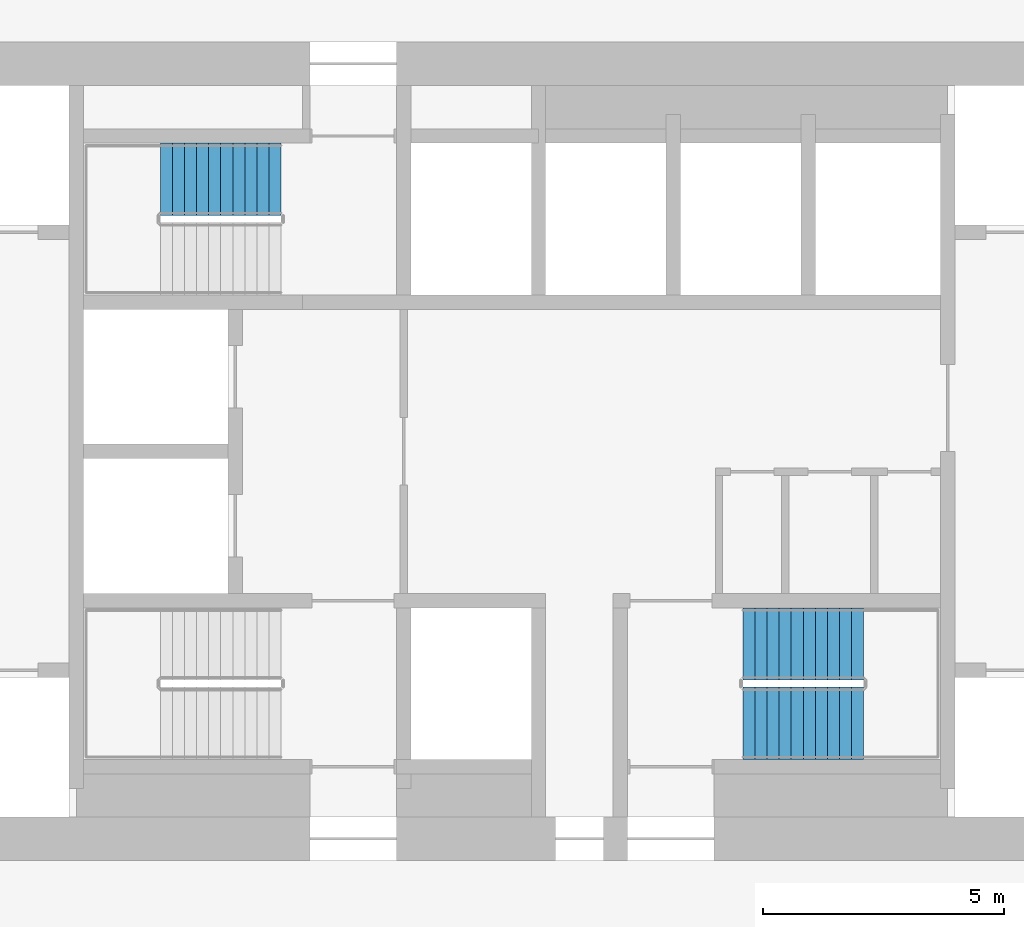
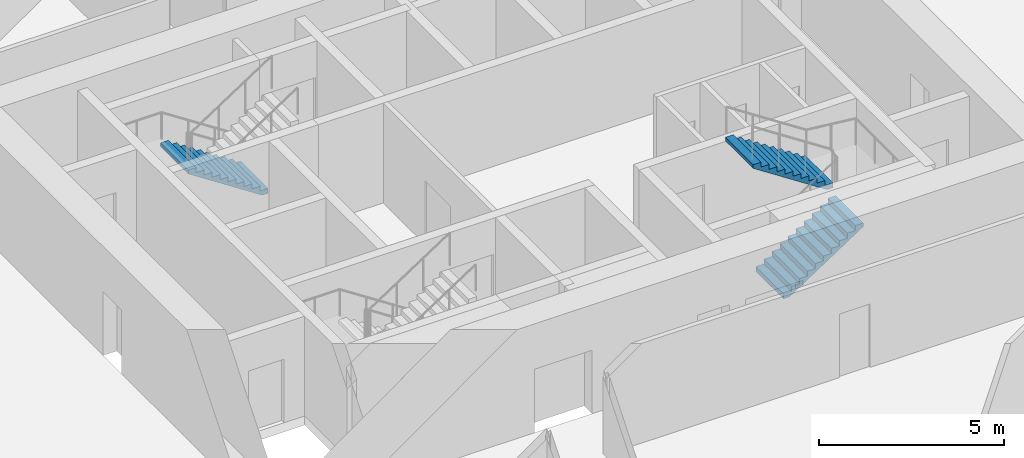
# One storey, part 9 of 10: 3 stair flights, 2 elements without a shape of their own.
"""IFC4 building model written with IfcOpenShell, lengths in metres."""

import ifcopenshell
import ifcopenshell.guid

model = None  # the IFC model being written
_history = None  # IfcOwnerHistory: only IFC2X3 demands one
_inside = {}  # id of a spatial element -> (the spatial element, [elements in it])
_under = {}  # id of a project, library or spatial element -> (it, [spatial elements below it])
_declared = {}  # id of a project -> (the project, [libraries it declares])
_typed = {}  # id of a type object -> (the type object, [elements of that type])
_made_of = {}  # id of a material, layer set ... -> (it, [elements and type objects made of it])


def new_model(schema):
    """Start an empty IFC model of exactly this schema.

    Asked for "IFC4X3", IfcOpenShell would pick the latest addendum, in which some entities
    have other attributes; the version numbers below select the first issue.
    IFC2X3 requires an IfcOwnerHistory on every rooted entity: one is made here for all.
    """
    global model, _history
    if schema == "IFC4X3":
        model = ifcopenshell.file(schema_version=(4, 3, 0, 0))
    else:
        model = ifcopenshell.file(schema=schema)
    _inside.clear()
    _under.clear()
    _declared.clear()
    _typed.clear()
    _made_of.clear()
    _history = None
    if model.schema == "IFC2X3":
        org = make("IfcOrganization", Name="unknown")
        user = make(
            "IfcPersonAndOrganization",
            ThePerson=make("IfcPerson", FamilyName="unknown"),
            TheOrganization=org,
        )
        app = make(
            "IfcApplication",
            ApplicationDeveloper=org,
            Version="unknown",
            ApplicationFullName="unknown",
            ApplicationIdentifier="unknown",
        )
        _history = make(
            "IfcOwnerHistory",
            OwningUser=user,
            OwningApplication=app,
            ChangeAction="ADDED",
            CreationDate=0,
        )
    return model


def make(cls, **values):
    """One entity of the class cls with the attributes given. An attribute that is None is left unset."""
    return model.create_entity(
        cls, **{name: value for name, value in values.items() if value is not None}
    )


def rooted(cls, **values):
    """An entity with a GlobalId (a new one), such as an element, a storey or a relation."""
    return make(cls, GlobalId=ifcopenshell.guid.new(), OwnerHistory=_history, **values)


def si_unit(unit_type, name, prefix=None):
    """IfcSIUnit, for example si_unit("LENGTHUNIT", "METRE", prefix="MILLI")."""
    return make("IfcSIUnit", UnitType=unit_type, Prefix=prefix, Name=name)


def assignment(units):
    """IfcUnitAssignment: the units of a project."""
    return None if units is None else make("IfcUnitAssignment", Units=units)


def point(xyz):
    """IfcCartesianPoint."""
    return None if xyz is None else make("IfcCartesianPoint", Coordinates=xyz)


def direction(xyz):
    """IfcDirection."""
    return None if xyz is None else make("IfcDirection", DirectionRatios=xyz)


def frame(location, z_axis=None, x_axis=None):
    """IfcAxis2Placement3D, a coordinate frame: its origin and axes. An axis left out is left unset."""
    return make(
        "IfcAxis2Placement3D",
        Location=point(location),
        Axis=direction(z_axis),
        RefDirection=direction(x_axis),
    )


def origin():
    """The frame at (0, 0, 0) with its axes left unset."""
    return frame((0.0, 0.0, 0.0))


def place(relative_to, where):
    """IfcLocalPlacement: puts the frame where relative to a parent placement (None: the world)."""
    return make(
        "IfcLocalPlacement", PlacementRelTo=relative_to, RelativePlacement=where
    )


def context(
    kind, dimensions, precision=None, world=None, true_north=None, identifier=None
):
    """IfcGeometricRepresentationContext, for example the 3D "Model" context."""
    return make(
        "IfcGeometricRepresentationContext",
        ContextIdentifier=identifier,
        ContextType=kind,
        CoordinateSpaceDimension=dimensions,
        Precision=precision,
        WorldCoordinateSystem=world,
        TrueNorth=true_north,
    )


def subcontext(parent, identifier, kind, view, scale=None):
    """IfcGeometricRepresentationSubContext, for example "Body" below "Model"."""
    return make(
        "IfcGeometricRepresentationSubContext",
        ContextIdentifier=identifier,
        ContextType=kind,
        ParentContext=parent,
        TargetScale=scale,
        TargetView=view,
    )


def project(units=None, contexts=None):
    """IfcProject with its units and contexts."""
    return rooted(
        "IfcProject",
        Name="project",
        RepresentationContexts=contexts,
        UnitsInContext=assignment(units),
    )


def spatial(cls, under=None, at=None, **own):
    """A site, building, storey or space (cls), placed at a placement, below another one or the project."""
    s = rooted(cls, ObjectPlacement=at, **own)
    if under is not None:
        _under.setdefault(under.id(), (under, []))[1].append(s)
    return s


def polyline(points):
    """IfcPolyline through the points."""
    return make("IfcPolyline", Points=[point(p) for p in points])


def outline(outer, holes=None, kind="AREA"):
    """IfcArbitraryClosedProfileDef: a profile drawn as a closed curve; with holes, ...WithVoids."""
    if holes is None:
        return make("IfcArbitraryClosedProfileDef", ProfileType=kind, OuterCurve=outer)
    return make(
        "IfcArbitraryProfileDefWithVoids",
        ProfileType=kind,
        OuterCurve=outer,
        InnerCurves=holes,
    )


def extrude(swept, where, along, depth):
    """IfcExtrudedAreaSolid: the profile swept, set in the frame where, extruded along a direction by depth."""
    return make(
        "IfcExtrudedAreaSolid",
        SweptArea=swept,
        Position=where,
        ExtrudedDirection=direction(along),
        Depth=depth,
    )


def shape(context_of_items, identifier, shape_type, items):
    """IfcShapeRepresentation: the items that make up one representation, for example the "Body"."""
    return make(
        "IfcShapeRepresentation",
        ContextOfItems=context_of_items,
        RepresentationIdentifier=identifier,
        RepresentationType=shape_type,
        Items=items,
    )


def material(Name=None, Category=None):
    """IfcMaterial."""
    return make("IfcMaterial", Name=Name, Category=Category)


def made_of(thing, what):
    """Note that an element or type object is made of a material, layer set ...; save() writes the relation."""
    if what is not None:
        _made_of.setdefault(what.id(), (what, []))[1].append(thing)
    return thing


def type_object(cls, material=None, **own):
    """A type object (cls), such as IfcWallType, which elements share."""
    return made_of(rooted(cls, **own), material)


def element(
    cls,
    number,
    at=None,
    inside=None,
    cuts=None,
    type_object=None,
    material=None,
    context=None,
    identifier="Body",
    shape_type=None,
    held_by="IfcProductDefinitionShape",
    body=None,
    shapes=None,
    **own,
):
    """One element of the class cls, such as IfcWall. Its Tag is "e" and its number.

    at: its placement. inside: the storey or other place that contains it. cuts: it is an
    opening in that element (IfcRelVoidsElement). A single representation is given by context,
    identifier, shape_type and body (its items); several are given by shapes. held_by: the class
    of the entity that holds the representations. save() writes the other relations.
    """
    e = rooted(cls, Tag="e%d" % number, ObjectPlacement=at, **own)
    if body is not None:
        shapes = [shape(context, identifier, shape_type, body)]
    if shapes is not None:
        e.Representation = make(held_by, Representations=shapes)
    if inside is not None:
        _inside.setdefault(inside.id(), (inside, []))[1].append(e)
    if cuts is not None:
        rooted(
            "IfcRelVoidsElement", RelatingBuildingElement=cuts, RelatedOpeningElement=e
        )
    if type_object is not None:
        _typed.setdefault(type_object.id(), (type_object, []))[1].append(e)
    return made_of(e, material)


def aggregate(whole, parts):
    """IfcRelAggregates: a whole, such as a stair, and the parts it consists of."""
    return rooted("IfcRelAggregates", RelatingObject=whole, RelatedObjects=parts)


def save(model, path):
    """Write the relations noted so far, then the file.

    IfcRelAggregates (storeys below a building ...), IfcRelContainedInSpatialStructure (elements
    in a storey), IfcRelDefinesByType, IfcRelAssociatesMaterial and IfcRelDeclares: one each for
    every whole, place, type object, material and project.
    """
    for whole, parts in _under.values():
        aggregate(whole, parts)
    for where, things in _inside.values():
        rooted(
            "IfcRelContainedInSpatialStructure",
            RelatedElements=things,
            RelatingStructure=where,
        )
    for kind, things in _typed.values():
        rooted("IfcRelDefinesByType", RelatedObjects=things, RelatingType=kind)
    for what, things in _made_of.values():
        rooted("IfcRelAssociatesMaterial", RelatedObjects=things, RelatingMaterial=what)
    for by, libraries in _declared.values():
        rooted("IfcRelDeclares", RelatingContext=by, RelatedDefinitions=libraries)
    model.write(path)


model = new_model("IFC4")

# Units and contexts
model_context = context("Model", 3, precision=1e-05, world=origin(), true_north=direction((0.0, 1.0)))
body_context = subcontext(model_context, "Body", "Model", "MODEL_VIEW")
ifc_project = project(units=[si_unit("LENGTHUNIT", "METRE"), si_unit("AREAUNIT", "SQUARE_METRE"), si_unit("VOLUMEUNIT", "CUBIC_METRE"), si_unit("PLANEANGLEUNIT", "RADIAN"), si_unit("MASSUNIT", "GRAM", prefix="KILO")], contexts=[model_context])

# Site, building, storey
site_placement = place(None, origin())
site = spatial("IfcSite", under=ifc_project, at=site_placement, CompositionType="ELEMENT")
building_placement = place(site_placement, origin())
building = spatial("IfcBuilding", under=site, at=building_placement, Name="Tracery Tower", CompositionType="ELEMENT")
storey_placement = place(building_placement, frame((0.0, 0.0, 144.0)))
storey = spatial("IfcBuildingStorey", under=building, at=storey_placement, Name="L36", CompositionType="ELEMENT", Elevation=144.0)

# Stair, stair flight
ifc_material_1 = material(Name="Concrete C32/40", Category="concrete")
stair_type = type_object("IfcStairType", Name="Core stair 22 risers", PredefinedType="HALF_TURN_STAIR", material=ifc_material_1)
stair_1_placement = place(storey_placement, origin())
stair_1 = element("IfcStair", 1, at=stair_1_placement, inside=storey, type_object=stair_type, Name="L36 stair ST3", PredefinedType="HALF_TURN_STAIR")
ifc_material_2 = material(Name="Concrete C32/40", Category="concrete")
stair_flight_type = type_object("IfcStairFlightType", Name="Core stair flight 11 risers", PredefinedType="STRAIGHT", material=ifc_material_2)
stair_flight_1_placement = place(storey_placement, frame((-4.800048828125, 5.64990234375, 0.0), z_axis=(0.0, 0.0, 1.0), x_axis=(-1.0, 0.0, 0.0)))
stair_flight_1 = element("IfcStairFlight", 2, at=stair_flight_1_placement, type_object=stair_flight_type, Name="ST3 flight 1", NumberOfRisers=11, NumberOfTreads=10, PredefinedType="STRAIGHT", RiserHeight=0.163636364, TreadLength=0.25, context=body_context, shape_type="SweptSolid", body=[
    extrude(outline(polyline([(0.0, 0.0), (0.0, 0.002685546875), (0.0, 0.00537109375), (0.0, 0.008056640625), (0.0, 0.0107421875), (0.0, 0.013427734375), (0.0, 0.01611328125), (0.0, 0.018798828125), (0.0, 0.021484375), (0.0, 0.024169921875), (0.0, 0.02685546875), (0.0, 0.029541015625), (0.0, 0.0322265625), (0.0, 0.034912109375), (0.0, 0.03759765625), (0.0, 0.040283203125), (0.0, 0.04296875), (0.0, 0.045654296875), (0.0, 0.04833984375), (0.0, 0.051025390625), (0.0, 0.0537109375), (0.0, 0.056396484375), (0.0, 0.05908203125), (0.0, 0.061767578125), (0.0, 0.064453125), (0.0, 0.067138671875), (0.0, 0.06982421875), (0.0, 0.072509765625), (0.0, 0.0751953125), (0.0, 0.077880859375), (0.0, 0.08056640625), (0.0, 0.083251953125), (0.0, 0.0859375), (0.0, 0.088623046875), (0.0, 0.09130859375), (0.0, 0.093994140625), (0.0, 0.0966796875), (0.0, 0.099365234375), (0.0, 0.10205078125), (0.0, 0.104736328125), (0.0, 0.107421875), (0.0, 0.10986328125), (0.0, 0.112548828125), (0.0, 0.115234375), (0.0, 0.117919921875), (0.0, 0.12060546875), (0.0, 0.123291015625), (0.0, 0.1259765625), (0.0, 0.128662109375), (0.0, 0.13134765625), (0.0, 0.134033203125), (0.0, 0.13671875), (0.0, 0.139404296875), (0.0, 0.14208984375), (0.0, 0.144775390625), (0.0, 0.1474609375), (0.0, 0.150146484375), (0.0, 0.15283203125), (0.0, 0.155517578125), (0.0, 0.158203125), (0.0, 0.160888671875), (0.0, 0.16357421875), (0.25, 0.16357421875), (0.25, 0.327392578125), (0.5, 0.327392578125), (0.5, 0.490966796875), (0.75, 0.490966796875), (0.75, 0.654541015625), (1.0, 0.654541015625), (1.0, 0.818115234375), (1.25, 0.818115234375), (1.25, 0.98193359375), (1.5, 0.98193359375), (1.5, 1.1455078125), (1.75, 1.1455078125), (1.75, 1.30908203125), (2.0, 1.30908203125), (2.0, 1.47265625), (2.25, 1.47265625), (2.25, 1.636474609375), (2.5, 1.636474609375), (2.5, 1.634521484375), (2.5, 1.63232421875), (2.5, 1.63037109375), (2.5, 1.62841796875), (2.5, 1.62646484375), (2.5, 1.62451171875), (2.5, 1.62255859375), (2.5, 1.62060546875), (2.5, 1.61865234375), (2.5, 1.61669921875), (2.5, 1.61474609375), (2.5, 1.61279296875), (2.5, 1.61083984375), (2.5, 1.60888671875), (2.5, 1.60693359375), (2.5, 1.60498046875), (2.5, 1.60302734375), (2.5, 1.60107421875), (2.5, 1.59912109375), (2.5, 1.59716796875), (2.5, 1.59521484375), (2.5, 1.59326171875), (2.5, 1.59130859375), (2.5, 1.58935546875), (2.5, 1.58740234375), (2.5, 1.58544921875), (2.5, 1.58349609375), (2.5, 1.58154296875), (2.5, 1.57958984375), (2.5, 1.57763671875), (2.5, 1.57568359375), (2.5, 1.573486328125), (2.5, 1.571533203125), (2.5, 1.569580078125), (2.5, 1.567626953125), (2.5, 1.565673828125), (2.5, 1.563720703125), (2.5, 1.561767578125), (2.5, 1.559814453125), (2.5, 1.557861328125), (2.5, 1.555908203125), (2.5, 1.553955078125), (2.5, 1.552001953125), (2.5, 1.550048828125), (2.5, 1.548095703125), (2.5, 1.546142578125), (2.5, 1.544189453125), (2.5, 1.542236328125), (2.5, 1.540283203125), (2.5, 1.538330078125), (2.5, 1.536376953125), (2.5, 1.534423828125), (2.5, 1.532470703125), (2.5, 1.530517578125), (2.5, 1.528564453125), (2.5, 1.526611328125), (2.5, 1.524658203125), (2.5, 1.522705078125), (2.5, 1.520751953125), (2.5, 1.518798828125), (2.5, 1.516845703125), (0.182861328125, 0.0), (0.0, 0.0)])), frame((0.0, 0.75, 0.0), z_axis=(0.0, -1.0, 0.0), x_axis=(1.0, 0.0, 0.0)), (0.0, 0.0, 1.0), 1.5),
])
aggregate(stair_1, [stair_flight_1])

# Stair, stair flights
stair_2_placement = place(storey_placement, origin())
stair_2 = element("IfcStair", 3, at=stair_2_placement, inside=storey, type_object=stair_type, Name="L36 stair ST2", PredefinedType="HALF_TURN_STAIR")
stair_flight_2_placement = place(storey_placement, frame((4.800048828125, -5.64990234375, 0.0), z_axis=(0.0, 0.0, 1.0), x_axis=(1.0, 0.0, 0.0)))
stair_flight_2 = element("IfcStairFlight", 4, at=stair_flight_2_placement, type_object=stair_flight_type, Name="ST2 flight 1", NumberOfRisers=11, NumberOfTreads=10, PredefinedType="STRAIGHT", RiserHeight=0.163636364, TreadLength=0.25, context=body_context, shape_type="SweptSolid", body=[
    extrude(outline(polyline([(0.0, 0.0), (0.0, 0.002685546875), (0.0, 0.00537109375), (0.0, 0.008056640625), (0.0, 0.0107421875), (0.0, 0.013427734375), (0.0, 0.01611328125), (0.0, 0.018798828125), (0.0, 0.021484375), (0.0, 0.024169921875), (0.0, 0.02685546875), (0.0, 0.029541015625), (0.0, 0.0322265625), (0.0, 0.034912109375), (0.0, 0.03759765625), (0.0, 0.040283203125), (0.0, 0.04296875), (0.0, 0.045654296875), (0.0, 0.04833984375), (0.0, 0.051025390625), (0.0, 0.0537109375), (0.0, 0.056396484375), (0.0, 0.05908203125), (0.0, 0.061767578125), (0.0, 0.064453125), (0.0, 0.067138671875), (0.0, 0.06982421875), (0.0, 0.072509765625), (0.0, 0.0751953125), (0.0, 0.077880859375), (0.0, 0.08056640625), (0.0, 0.083251953125), (0.0, 0.0859375), (0.0, 0.088623046875), (0.0, 0.09130859375), (0.0, 0.093994140625), (0.0, 0.0966796875), (0.0, 0.099365234375), (0.0, 0.10205078125), (0.0, 0.104736328125), (0.0, 0.107421875), (0.0, 0.10986328125), (0.0, 0.112548828125), (0.0, 0.115234375), (0.0, 0.117919921875), (0.0, 0.12060546875), (0.0, 0.123291015625), (0.0, 0.1259765625), (0.0, 0.128662109375), (0.0, 0.13134765625), (0.0, 0.134033203125), (0.0, 0.13671875), (0.0, 0.139404296875), (0.0, 0.14208984375), (0.0, 0.144775390625), (0.0, 0.1474609375), (0.0, 0.150146484375), (0.0, 0.15283203125), (0.0, 0.155517578125), (0.0, 0.158203125), (0.0, 0.160888671875), (0.0, 0.16357421875), (0.25, 0.16357421875), (0.25, 0.327392578125), (0.5, 0.327392578125), (0.5, 0.490966796875), (0.75, 0.490966796875), (0.75, 0.654541015625), (1.0, 0.654541015625), (1.0, 0.818115234375), (1.25, 0.818115234375), (1.25, 0.98193359375), (1.5, 0.98193359375), (1.5, 1.1455078125), (1.75, 1.1455078125), (1.75, 1.30908203125), (2.0, 1.30908203125), (2.0, 1.47265625), (2.25, 1.47265625), (2.25, 1.636474609375), (2.5, 1.636474609375), (2.5, 1.634521484375), (2.5, 1.63232421875), (2.5, 1.63037109375), (2.5, 1.62841796875), (2.5, 1.62646484375), (2.5, 1.62451171875), (2.5, 1.62255859375), (2.5, 1.62060546875), (2.5, 1.61865234375), (2.5, 1.61669921875), (2.5, 1.61474609375), (2.5, 1.61279296875), (2.5, 1.61083984375), (2.5, 1.60888671875), (2.5, 1.60693359375), (2.5, 1.60498046875), (2.5, 1.60302734375), (2.5, 1.60107421875), (2.5, 1.59912109375), (2.5, 1.59716796875), (2.5, 1.59521484375), (2.5, 1.59326171875), (2.5, 1.59130859375), (2.5, 1.58935546875), (2.5, 1.58740234375), (2.5, 1.58544921875), (2.5, 1.58349609375), (2.5, 1.58154296875), (2.5, 1.57958984375), (2.5, 1.57763671875), (2.5, 1.57568359375), (2.5, 1.573486328125), (2.5, 1.571533203125), (2.5, 1.569580078125), (2.5, 1.567626953125), (2.5, 1.565673828125), (2.5, 1.563720703125), (2.5, 1.561767578125), (2.5, 1.559814453125), (2.5, 1.557861328125), (2.5, 1.555908203125), (2.5, 1.553955078125), (2.5, 1.552001953125), (2.5, 1.550048828125), (2.5, 1.548095703125), (2.5, 1.546142578125), (2.5, 1.544189453125), (2.5, 1.542236328125), (2.5, 1.540283203125), (2.5, 1.538330078125), (2.5, 1.536376953125), (2.5, 1.534423828125), (2.5, 1.532470703125), (2.5, 1.530517578125), (2.5, 1.528564453125), (2.5, 1.526611328125), (2.5, 1.524658203125), (2.5, 1.522705078125), (2.5, 1.520751953125), (2.5, 1.518798828125), (2.5, 1.516845703125), (0.182861328125, 0.0), (0.0, 0.0)])), frame((0.0, 0.75, 0.0), z_axis=(0.0, -1.0, 0.0), x_axis=(1.0, 0.0, 0.0)), (0.0, 0.0, 1.0), 1.5),
])
stair_flight_3_placement = place(storey_placement, frame((7.300048828125, -4.0, 1.800048828125), z_axis=(0.0, 0.0, 1.0), x_axis=(-1.0, 0.0, 0.0)))
stair_flight_3 = element("IfcStairFlight", 5, at=stair_flight_3_placement, type_object=stair_flight_type, Name="ST2 flight 2", NumberOfRisers=11, NumberOfTreads=10, PredefinedType="STRAIGHT", RiserHeight=0.163636364, TreadLength=0.25, context=body_context, shape_type="SweptSolid", body=[
    extrude(outline(polyline([(0.0, 0.0), (0.0, 0.002685546875), (0.0, 0.00537109375), (0.0, 0.008056640625), (0.0, 0.0107421875), (0.0, 0.013427734375), (0.0, 0.01611328125), (0.0, 0.018798828125), (0.0, 0.021484375), (0.0, 0.024169921875), (0.0, 0.02685546875), (0.0, 0.029541015625), (0.0, 0.0322265625), (0.0, 0.034912109375), (0.0, 0.03759765625), (0.0, 0.040283203125), (0.0, 0.04296875), (0.0, 0.045654296875), (0.0, 0.04833984375), (0.0, 0.051025390625), (0.0, 0.0537109375), (0.0, 0.056396484375), (0.0, 0.05908203125), (0.0, 0.061767578125), (0.0, 0.064453125), (0.0, 0.067138671875), (0.0, 0.06982421875), (0.0, 0.072509765625), (0.0, 0.0751953125), (0.0, 0.077880859375), (0.0, 0.08056640625), (0.0, 0.083251953125), (0.0, 0.0859375), (0.0, 0.088623046875), (0.0, 0.09130859375), (0.0, 0.093994140625), (0.0, 0.0966796875), (0.0, 0.099365234375), (0.0, 0.10205078125), (0.0, 0.104736328125), (0.0, 0.107421875), (0.0, 0.10986328125), (0.0, 0.112548828125), (0.0, 0.115234375), (0.0, 0.117919921875), (0.0, 0.12060546875), (0.0, 0.123291015625), (0.0, 0.1259765625), (0.0, 0.128662109375), (0.0, 0.13134765625), (0.0, 0.134033203125), (0.0, 0.13671875), (0.0, 0.139404296875), (0.0, 0.14208984375), (0.0, 0.144775390625), (0.0, 0.1474609375), (0.0, 0.150146484375), (0.0, 0.15283203125), (0.0, 0.155517578125), (0.0, 0.158203125), (0.0, 0.160888671875), (0.0, 0.16357421875), (0.25, 0.16357421875), (0.25, 0.327392578125), (0.5, 0.327392578125), (0.5, 0.490966796875), (0.75, 0.490966796875), (0.75, 0.654541015625), (1.0, 0.654541015625), (1.0, 0.818115234375), (1.25, 0.818115234375), (1.25, 0.98193359375), (1.5, 0.98193359375), (1.5, 1.1455078125), (1.75, 1.1455078125), (1.75, 1.30908203125), (2.0, 1.30908203125), (2.0, 1.47265625), (2.25, 1.47265625), (2.25, 1.636474609375), (2.5, 1.636474609375), (2.5, 1.634521484375), (2.5, 1.63232421875), (2.5, 1.63037109375), (2.5, 1.62841796875), (2.5, 1.62646484375), (2.5, 1.62451171875), (2.5, 1.62255859375), (2.5, 1.62060546875), (2.5, 1.61865234375), (2.5, 1.61669921875), (2.5, 1.61474609375), (2.5, 1.61279296875), (2.5, 1.61083984375), (2.5, 1.60888671875), (2.5, 1.60693359375), (2.5, 1.60498046875), (2.5, 1.60302734375), (2.5, 1.60107421875), (2.5, 1.59912109375), (2.5, 1.59716796875), (2.5, 1.59521484375), (2.5, 1.59326171875), (2.5, 1.59130859375), (2.5, 1.58935546875), (2.5, 1.58740234375), (2.5, 1.58544921875), (2.5, 1.58349609375), (2.5, 1.58154296875), (2.5, 1.57958984375), (2.5, 1.57763671875), (2.5, 1.57568359375), (2.5, 1.573486328125), (2.5, 1.571533203125), (2.5, 1.569580078125), (2.5, 1.567626953125), (2.5, 1.565673828125), (2.5, 1.563720703125), (2.5, 1.561767578125), (2.5, 1.559814453125), (2.5, 1.557861328125), (2.5, 1.555908203125), (2.5, 1.553955078125), (2.5, 1.552001953125), (2.5, 1.550048828125), (2.5, 1.548095703125), (2.5, 1.546142578125), (2.5, 1.544189453125), (2.5, 1.542236328125), (2.5, 1.540283203125), (2.5, 1.538330078125), (2.5, 1.536376953125), (2.5, 1.534423828125), (2.5, 1.532470703125), (2.5, 1.530517578125), (2.5, 1.528564453125), (2.5, 1.526611328125), (2.5, 1.524658203125), (2.5, 1.522705078125), (2.5, 1.520751953125), (2.5, 1.518798828125), (2.5, 1.516845703125), (0.182861328125, 0.0), (0.0, 0.0)])), frame((0.0, 0.75, 0.0), z_axis=(0.0, -1.0, 0.0), x_axis=(1.0, 0.0, 0.0)), (0.0, 0.0, 1.0), 1.5),
])
aggregate(stair_2, [stair_flight_2, stair_flight_3])

save(model, "model.ifc")
